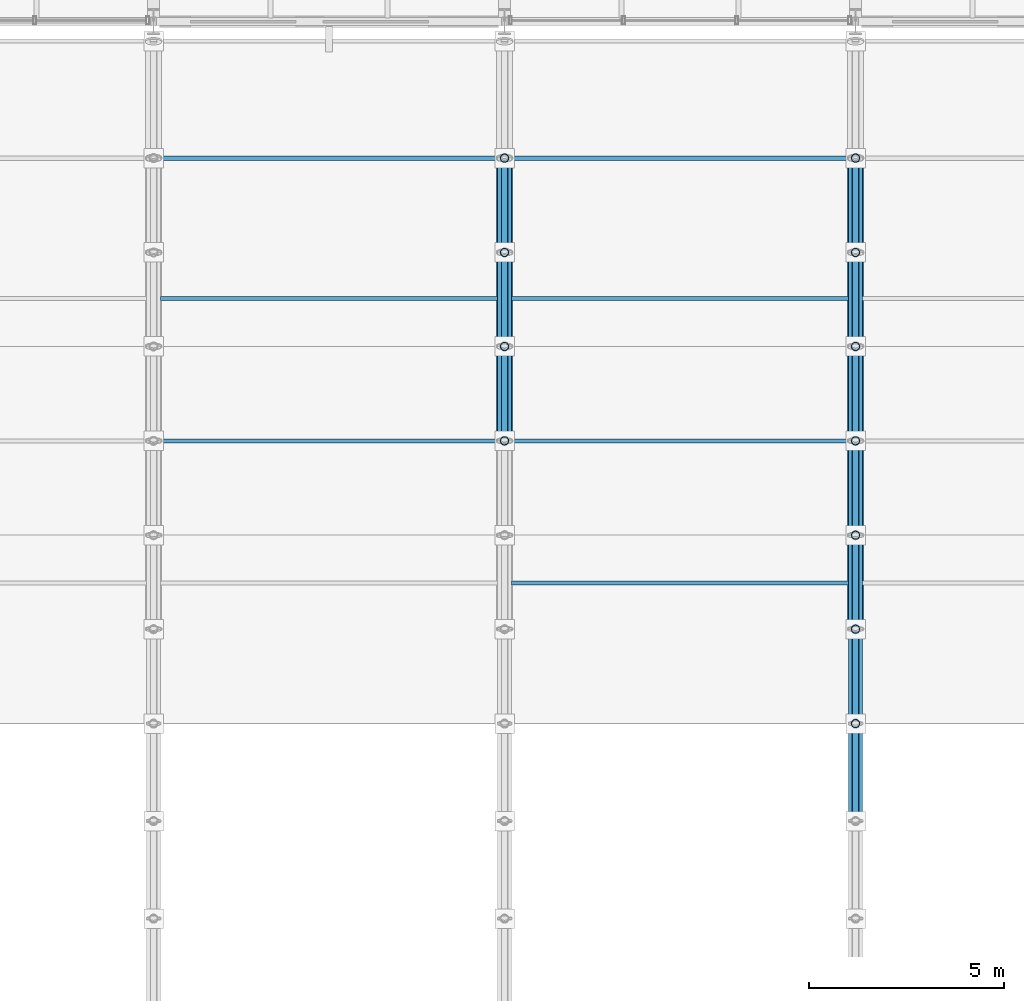
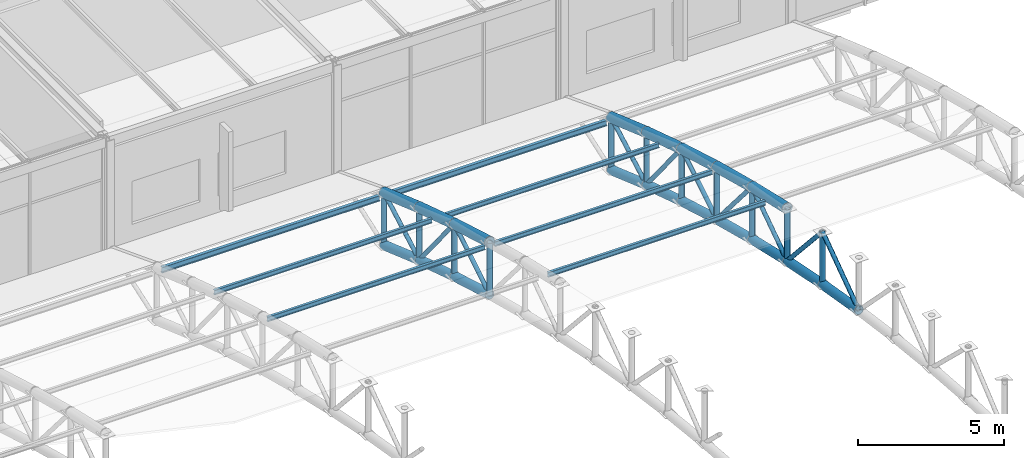
# One storey, part 38 of 195: 46 members.
"""IFC4 building model written with IfcOpenShell, lengths in metres."""

from ifc_helpers import new_model, si_unit, direction, frame, origin, origin_2d, place, context, subcontext, project, spatial, hollow_circle, i_section, extrude, material, material_profile, profile_set, type_object, element, save


model = new_model("IFC4")

# Units and contexts
model_context = context("Model", 3, precision=1e-05, world=origin(), true_north=direction((0.0, 1.0)))
body_context = subcontext(model_context, "Body", "Model", "MODEL_VIEW")
ifc_project = project(units=[si_unit("LENGTHUNIT", "METRE"), si_unit("AREAUNIT", "SQUARE_METRE"), si_unit("VOLUMEUNIT", "CUBIC_METRE"), si_unit("PLANEANGLEUNIT", "RADIAN"), si_unit("MASSUNIT", "GRAM", prefix="KILO")], contexts=[model_context])

# Site, building, storey
site_placement = place(None, origin())
site = spatial("IfcSite", under=ifc_project, at=site_placement, CompositionType="ELEMENT")
building_placement = place(site_placement, origin())
building = spatial("IfcBuilding", under=site, at=building_placement, Name="Marlcrest Central Station", CompositionType="ELEMENT")
storey_placement = place(building_placement, frame((0.0, 0.0, 9.800048828125)))
storey = spatial("IfcBuildingStorey", under=building, at=storey_placement, Name="L02", CompositionType="ELEMENT", Elevation=9.800048828125)

# Members
ifc_material = material(Name="Steel S355", Category="steel")
ifc_material_profile_1 = material_profile(ifc_material, hollow_circle(Radius=0.203125, WallThickness=0.02001953125, at=origin_2d()), Name="CHS 406.4x20")
ifc_profile_set_1 = profile_set([ifc_material_profile_1], Name="Steel S355")
member_type_1 = type_object("IfcMemberType", Name="AC-01", PredefinedType="CHORD", material=ifc_profile_set_1)
member_1_placement = place(storey_placement, frame((54.0, 88.25, 3.927978515625), z_axis=(0.0, 0.960130083362, -0.27955361386), x_axis=(-1.0, 0.0, 0.0)))
element("IfcMember", 1, at=member_1_placement, inside=storey, type_object=member_type_1, Name="mem-AC-01-L02-00843", PredefinedType="CHORD", context=body_context, shape_type="SweptSolid", body=[
    extrude(hollow_circle(Radius=0.203125, WallThickness=0.02001953125, at=origin_2d()), origin(), (0.0, 0.0, 1.0), 2.5205078125),
])
member_2_placement = place(storey_placement, frame((54.0, 90.669921875, 3.223388671875), z_axis=(0.0, 0.952116828449, -0.305734435391), x_axis=(-1.0, 0.0, 0.0)))
element("IfcMember", 2, at=member_2_placement, inside=storey, type_object=member_type_1, Name="mem-AC-01-L02-00847", PredefinedType="CHORD", context=body_context, shape_type="SweptSolid", body=[
    extrude(hollow_circle(Radius=0.203125, WallThickness=0.02001953125, at=origin_2d()), origin(), (0.0, 0.0, 1.0), 2.53125),
])
member_3_placement = place(storey_placement, frame((54.0, 93.080078125, 2.449462890625), z_axis=(0.0, 0.94353735649, -0.331266142109), x_axis=(-1.0, 0.0, 0.0)))
element("IfcMember", 3, at=member_3_placement, inside=storey, type_object=member_type_1, Name="mem-AC-01-L02-00851", PredefinedType="CHORD", context=body_context, shape_type="SweptSolid", body=[
    extrude(hollow_circle(Radius=0.203125, WallThickness=0.02001953125, at=origin_2d()), origin(), (0.0, 0.0, 1.0), 2.564697265625),
])
member_4_placement = place(storey_placement, frame((63.0, 83.419921875, 5.116943359375), z_axis=(0.0, 0.974329612642, -0.225126200004), x_axis=(-1.0, 0.0, 0.0)))
element("IfcMember", 4, at=member_4_placement, inside=storey, type_object=member_type_1, Name="mem-AC-01-L02-00951", PredefinedType="CHORD", context=body_context, shape_type="SweptSolid", body=[
    extrude(hollow_circle(Radius=0.203125, WallThickness=0.02001953125, at=origin_2d()), origin(), (0.0, 0.0, 1.0), 2.4736328125),
])
member_5_placement = place(storey_placement, frame((63.0, 85.830078125, 4.56005859375), z_axis=(0.0, 0.967539481681, -0.252719906989), x_axis=(-1.0, 0.0, 0.0)))
element("IfcMember", 5, at=member_5_placement, inside=storey, type_object=member_type_1, Name="mem-AC-01-L02-00955", PredefinedType="CHORD", context=body_context, shape_type="SweptSolid", body=[
    extrude(hollow_circle(Radius=0.203125, WallThickness=0.02001953125, at=origin_2d()), origin(), (0.0, 0.0, 1.0), 2.501220703125),
])
member_6_placement = place(storey_placement, frame((63.0, 88.25, 3.927978515625), z_axis=(0.0, 0.960130083362, -0.27955361386), x_axis=(-1.0, 0.0, 0.0)))
element("IfcMember", 6, at=member_6_placement, inside=storey, type_object=member_type_1, Name="mem-AC-01-L02-00959", PredefinedType="CHORD", context=body_context, shape_type="SweptSolid", body=[
    extrude(hollow_circle(Radius=0.203125, WallThickness=0.02001953125, at=origin_2d()), origin(), (0.0, 0.0, 1.0), 2.5205078125),
])
member_7_placement = place(storey_placement, frame((63.0, 90.669921875, 3.223388671875), z_axis=(0.0, 0.952116828449, -0.305734435391), x_axis=(-1.0, 0.0, 0.0)))
element("IfcMember", 7, at=member_7_placement, inside=storey, type_object=member_type_1, Name="mem-AC-01-L02-00963", PredefinedType="CHORD", context=body_context, shape_type="SweptSolid", body=[
    extrude(hollow_circle(Radius=0.203125, WallThickness=0.02001953125, at=origin_2d()), origin(), (0.0, 0.0, 1.0), 2.53125),
])
member_8_placement = place(storey_placement, frame((63.0, 93.080078125, 2.449462890625), z_axis=(0.0, 0.94353735649, -0.331266142109), x_axis=(-1.0, 0.0, 0.0)))
element("IfcMember", 8, at=member_8_placement, inside=storey, type_object=member_type_1, Name="mem-AC-01-L02-00967", PredefinedType="CHORD", context=body_context, shape_type="SweptSolid", body=[
    extrude(hollow_circle(Radius=0.203125, WallThickness=0.02001953125, at=origin_2d()), origin(), (0.0, 0.0, 1.0), 2.564697265625),
])
ifc_material_profile_2 = material_profile(ifc_material, hollow_circle(Radius=0.177734375, WallThickness=0.01611328125, at=origin_2d()), Name="CHS 355.6x16")
ifc_profile_set_2 = profile_set([ifc_material_profile_2], Name="Steel S355")
member_type_2 = type_object("IfcMemberType", Name="AC-02", PredefinedType="CHORD", material=ifc_profile_set_2)
member_9_placement = place(storey_placement, frame((54.0, 88.25, 1.72802734375), z_axis=(0.0, 0.960130083362, -0.27955361386), x_axis=(-1.0, 0.0, 0.0)))
element("IfcMember", 9, at=member_9_placement, inside=storey, type_object=member_type_2, Name="mem-AC-02-L02-00844", PredefinedType="CHORD", context=body_context, shape_type="SweptSolid", body=[
    extrude(hollow_circle(Radius=0.177734375, WallThickness=0.01611328125, at=origin_2d()), origin(), (0.0, 0.0, 1.0), 2.5205078125),
])
member_10_placement = place(storey_placement, frame((54.0, 90.669921875, 1.0234375), z_axis=(0.0, 0.952116828449, -0.305734435391), x_axis=(-1.0, 0.0, 0.0)))
element("IfcMember", 10, at=member_10_placement, inside=storey, type_object=member_type_2, Name="mem-AC-02-L02-00848", PredefinedType="CHORD", context=body_context, shape_type="SweptSolid", body=[
    extrude(hollow_circle(Radius=0.177734375, WallThickness=0.01611328125, at=origin_2d()), origin(), (0.0, 0.0, 1.0), 2.53125),
])
member_11_placement = place(storey_placement, frame((54.0, 93.080078125, 0.24951171875), z_axis=(0.0, 0.94353735649, -0.331266142109), x_axis=(-1.0, 0.0, 0.0)))
element("IfcMember", 11, at=member_11_placement, inside=storey, type_object=member_type_2, Name="mem-AC-02-L02-00852", PredefinedType="CHORD", context=body_context, shape_type="SweptSolid", body=[
    extrude(hollow_circle(Radius=0.177734375, WallThickness=0.01611328125, at=origin_2d()), origin(), (0.0, 0.0, 1.0), 2.564697265625),
])
member_12_placement = place(storey_placement, frame((63.0, 78.5, 3.83056640625), z_axis=(0.0, 0.98574109921, -0.168269086076), x_axis=(-1.0, 0.0, 0.0)))
element("IfcMember", 12, at=member_12_placement, inside=storey, type_object=member_type_2, Name="mem-AC-02-L02-00944", PredefinedType="CHORD", context=body_context, shape_type="SweptSolid", body=[
    extrude(hollow_circle(Radius=0.177734375, WallThickness=0.01611328125, at=origin_2d()), origin(), (0.0, 0.0, 1.0), 2.5361328125),
])
member_13_placement = place(storey_placement, frame((63.0, 81.0, 3.40380859375), z_axis=(0.0, 0.980359417961, -0.197219196874), x_axis=(-1.0, 0.0, 0.0)))
element("IfcMember", 13, at=member_13_placement, inside=storey, type_object=member_type_2, Name="mem-AC-02-L02-00948", PredefinedType="CHORD", context=body_context, shape_type="SweptSolid", body=[
    extrude(hollow_circle(Radius=0.177734375, WallThickness=0.01611328125, at=origin_2d()), origin(), (0.0, 0.0, 1.0), 2.468505859375),
])
member_14_placement = place(storey_placement, frame((63.0, 83.419921875, 2.9169921875), z_axis=(0.0, 0.974307959875, -0.225219891049), x_axis=(-1.0, 0.0, 0.0)))
element("IfcMember", 14, at=member_14_placement, inside=storey, type_object=member_type_2, Name="mem-AC-02-L02-00952", PredefinedType="CHORD", context=body_context, shape_type="SweptSolid", body=[
    extrude(hollow_circle(Radius=0.177734375, WallThickness=0.01611328125, at=origin_2d()), origin(), (0.0, 0.0, 1.0), 2.4736328125),
])
member_15_placement = place(storey_placement, frame((63.0, 85.830078125, 2.35986328125), z_axis=(0.0, 0.967563345928, -0.252628524946), x_axis=(-1.0, 0.0, 0.0)))
element("IfcMember", 15, at=member_15_placement, inside=storey, type_object=member_type_2, Name="mem-AC-02-L02-00956", PredefinedType="CHORD", context=body_context, shape_type="SweptSolid", body=[
    extrude(hollow_circle(Radius=0.177734375, WallThickness=0.01611328125, at=origin_2d()), origin(), (0.0, 0.0, 1.0), 2.5009765625),
])
member_16_placement = place(storey_placement, frame((63.0, 88.25, 1.72802734375), z_axis=(0.0, 0.960130083362, -0.27955361386), x_axis=(-1.0, 0.0, 0.0)))
element("IfcMember", 16, at=member_16_placement, inside=storey, type_object=member_type_2, Name="mem-AC-02-L02-00960", PredefinedType="CHORD", context=body_context, shape_type="SweptSolid", body=[
    extrude(hollow_circle(Radius=0.177734375, WallThickness=0.01611328125, at=origin_2d()), origin(), (0.0, 0.0, 1.0), 2.5205078125),
])
member_17_placement = place(storey_placement, frame((63.0, 90.669921875, 1.0234375), z_axis=(0.0, 0.952116828449, -0.305734435391), x_axis=(-1.0, 0.0, 0.0)))
element("IfcMember", 17, at=member_17_placement, inside=storey, type_object=member_type_2, Name="mem-AC-02-L02-00964", PredefinedType="CHORD", context=body_context, shape_type="SweptSolid", body=[
    extrude(hollow_circle(Radius=0.177734375, WallThickness=0.01611328125, at=origin_2d()), origin(), (0.0, 0.0, 1.0), 2.53125),
])
member_18_placement = place(storey_placement, frame((63.0, 93.080078125, 0.24951171875), z_axis=(0.0, 0.94353735649, -0.331266142109), x_axis=(-1.0, 0.0, 0.0)))
element("IfcMember", 18, at=member_18_placement, inside=storey, type_object=member_type_2, Name="mem-AC-02-L02-00968", PredefinedType="CHORD", context=body_context, shape_type="SweptSolid", body=[
    extrude(hollow_circle(Radius=0.177734375, WallThickness=0.01611328125, at=origin_2d()), origin(), (0.0, 0.0, 1.0), 2.564697265625),
])
ifc_material_profile_3 = material_profile(ifc_material, hollow_circle(Radius=0.084228515625, WallThickness=0.010009765625, at=origin_2d()), Name="CHS 168.3x10")
ifc_profile_set_3 = profile_set([ifc_material_profile_3], Name="Steel S355")
member_type_3 = type_object("IfcMemberType", Name="AD-01", PredefinedType="BRACE", material=ifc_profile_set_3)
member_19_placement = place(storey_placement, frame((54.0, 88.25, 1.72802734375), z_axis=(0.0, 0.850687380038, 0.525671933286), x_axis=(-1.0, 0.0, 0.0)))
element("IfcMember", 19, at=member_19_placement, inside=storey, type_object=member_type_3, Name="mem-AD-01-L02-00846", PredefinedType="BRACE", context=body_context, shape_type="SweptSolid", body=[
    extrude(hollow_circle(Radius=0.084228515625, WallThickness=0.010009765625, at=origin_2d()), origin(), (0.0, 0.0, 1.0), 2.8447265625),
])
member_20_placement = place(storey_placement, frame((54.0, 90.669921875, 3.223388671875), z_axis=(0.0, 0.62962929743, -0.776895712318), x_axis=(-1.0, 0.0, 0.0)))
element("IfcMember", 20, at=member_20_placement, inside=storey, type_object=member_type_3, Name="mem-AD-01-L02-00850", PredefinedType="BRACE", context=body_context, shape_type="SweptSolid", body=[
    extrude(hollow_circle(Radius=0.084228515625, WallThickness=0.010009765625, at=origin_2d()), origin(), (0.0, 0.0, 1.0), 3.827880859375),
])
member_21_placement = place(storey_placement, frame((54.0, 93.080078125, 0.24951171875), z_axis=(0.0, 0.873245653167, 0.487280236851), x_axis=(-1.0, 0.0, 0.0)))
element("IfcMember", 21, at=member_21_placement, inside=storey, type_object=member_type_3, Name="mem-AD-01-L02-00854", PredefinedType="BRACE", context=body_context, shape_type="SweptSolid", body=[
    extrude(hollow_circle(Radius=0.084228515625, WallThickness=0.010009765625, at=origin_2d()), origin(), (0.0, 0.0, 1.0), 2.771240234375),
])
member_22_placement = place(storey_placement, frame((63.0, 78.5, 3.83056640625), z_axis=(0.0, 0.815661132754, 0.57852996164), x_axis=(-1.0, 0.0, 0.0)))
element("IfcMember", 22, at=member_22_placement, inside=storey, type_object=member_type_3, Name="mem-AD-01-L02-00946", PredefinedType="BRACE", context=body_context, shape_type="SweptSolid", body=[
    extrude(hollow_circle(Radius=0.084228515625, WallThickness=0.010009765625, at=origin_2d()), origin(), (0.0, 0.0, 1.0), 3.06494140625),
])
member_23_placement = place(storey_placement, frame((63.0, 81.0, 5.603759765625), z_axis=(0.0, 0.669244457479, -0.743042297675), x_axis=(-1.0, 0.0, 0.0)))
element("IfcMember", 23, at=member_23_placement, inside=storey, type_object=member_type_3, Name="mem-AD-01-L02-00950", PredefinedType="BRACE", context=body_context, shape_type="SweptSolid", body=[
    extrude(hollow_circle(Radius=0.084228515625, WallThickness=0.010009765625, at=origin_2d()), origin(), (0.0, 0.0, 1.0), 3.615966796875),
])
member_24_placement = place(storey_placement, frame((63.0, 83.419921875, 2.9169921875), z_axis=(0.0, 0.82626275624, 0.563284881432), x_axis=(-1.0, 0.0, 0.0)))
element("IfcMember", 24, at=member_24_placement, inside=storey, type_object=member_type_3, Name="mem-AD-01-L02-00954", PredefinedType="BRACE", context=body_context, shape_type="SweptSolid", body=[
    extrude(hollow_circle(Radius=0.084228515625, WallThickness=0.010009765625, at=origin_2d()), origin(), (0.0, 0.0, 1.0), 2.9169921875),
])
member_25_placement = place(storey_placement, frame((63.0, 85.830078125, 4.56005859375), z_axis=(0.0, 0.649624779144, -0.760254987699), x_axis=(-1.0, 0.0, 0.0)))
element("IfcMember", 25, at=member_25_placement, inside=storey, type_object=member_type_3, Name="mem-AD-01-L02-00958", PredefinedType="BRACE", context=body_context, shape_type="SweptSolid", body=[
    extrude(hollow_circle(Radius=0.084228515625, WallThickness=0.010009765625, at=origin_2d()), origin(), (0.0, 0.0, 1.0), 3.72509765625),
])
member_26_placement = place(storey_placement, frame((63.0, 88.25, 1.72802734375), z_axis=(0.0, 0.850687380038, 0.525671933286), x_axis=(-1.0, 0.0, 0.0)))
element("IfcMember", 26, at=member_26_placement, inside=storey, type_object=member_type_3, Name="mem-AD-01-L02-00962", PredefinedType="BRACE", context=body_context, shape_type="SweptSolid", body=[
    extrude(hollow_circle(Radius=0.084228515625, WallThickness=0.010009765625, at=origin_2d()), origin(), (0.0, 0.0, 1.0), 2.8447265625),
])
member_27_placement = place(storey_placement, frame((63.0, 90.669921875, 3.223388671875), z_axis=(0.0, 0.62962929743, -0.776895712318), x_axis=(-1.0, 0.0, 0.0)))
element("IfcMember", 27, at=member_27_placement, inside=storey, type_object=member_type_3, Name="mem-AD-01-L02-00966", PredefinedType="BRACE", context=body_context, shape_type="SweptSolid", body=[
    extrude(hollow_circle(Radius=0.084228515625, WallThickness=0.010009765625, at=origin_2d()), origin(), (0.0, 0.0, 1.0), 3.827880859375),
])
member_28_placement = place(storey_placement, frame((63.0, 93.080078125, 0.24951171875), z_axis=(0.0, 0.873245653167, 0.487280236851), x_axis=(-1.0, 0.0, 0.0)))
element("IfcMember", 28, at=member_28_placement, inside=storey, type_object=member_type_3, Name="mem-AD-01-L02-00970", PredefinedType="BRACE", context=body_context, shape_type="SweptSolid", body=[
    extrude(hollow_circle(Radius=0.084228515625, WallThickness=0.010009765625, at=origin_2d()), origin(), (0.0, 0.0, 1.0), 2.771240234375),
])
ifc_material_profile_4 = material_profile(ifc_material, hollow_circle(Radius=0.109619140625, WallThickness=0.012451171875, at=origin_2d()), Name="CHS 219.1x12.5")
ifc_profile_set_4 = profile_set([ifc_material_profile_4], Name="Steel S355")
member_type_4 = type_object("IfcMemberType", Name="AP-01", PredefinedType="POST", material=ifc_profile_set_4)
for number, where, z_axis, x_axis, name in (
    (29, (54.0, 88.25, 1.72802734375), (0.0, 0.0, 1.0), (1.0, 0.0, 0.0), "mem-AP-01-L02-00845"),
    (30, (54.0, 90.669921875, 1.0234375), (0.0, 0.0, 1.0), (1.0, 0.0, 0.0), "mem-AP-01-L02-00849"),
    (31, (54.0, 93.080078125, 0.24951171875), (0.0, 0.0, 1.0), (1.0, 0.0, 0.0), "mem-AP-01-L02-00853"),
    (32, (54.0, 95.5, -0.60009765625), (0.0, 0.0, 1.0), (1.0, 0.0, 0.0), "mem-AP-01-L02-00856"),
    (33, (63.0, 81.0, 3.40380859375), (0.0, 0.0, 1.0), (1.0, 0.0, 0.0), "mem-AP-01-L02-00949"),
    (34, (63.0, 83.419921875, 2.9169921875), (0.0, 0.0, 1.0), (1.0, 0.0, 0.0), "mem-AP-01-L02-00953"),
):
    element("IfcMember", number, at=place(storey_placement, frame(where, z_axis=z_axis, x_axis=x_axis)), inside=storey, type_object=member_type_4, Name=name, PredefinedType="POST", context=body_context, shape_type="SweptSolid", body=[
        extrude(hollow_circle(Radius=0.109619140625, WallThickness=0.012451171875, at=origin_2d()), origin(), (0.0, 0.0, 1.0), 2.199951171875),
    ])
member_29_placement = place(storey_placement, frame((63.0, 85.830078125, 2.35986328125), z_axis=(0.0, 0.0, 1.0), x_axis=(1.0, 0.0, 0.0)))
element("IfcMember", 35, at=member_29_placement, inside=storey, type_object=member_type_4, Name="mem-AP-01-L02-00957", PredefinedType="POST", context=body_context, shape_type="SweptSolid", body=[
    extrude(hollow_circle(Radius=0.109619140625, WallThickness=0.012451171875, at=origin_2d()), origin(), (0.0, 0.0, 1.0), 2.2001953125),
])
for number, where, z_axis, x_axis, name in (
    (36, (63.0, 88.25, 1.72802734375), (0.0, 0.0, 1.0), (1.0, 0.0, 0.0), "mem-AP-01-L02-00961"),
    (37, (63.0, 90.669921875, 1.0234375), (0.0, 0.0, 1.0), (1.0, 0.0, 0.0), "mem-AP-01-L02-00965"),
    (38, (63.0, 93.080078125, 0.24951171875), (0.0, 0.0, 1.0), (1.0, 0.0, 0.0), "mem-AP-01-L02-00969"),
    (39, (63.0, 95.5, -0.60009765625), (0.0, 0.0, 1.0), (1.0, 0.0, 0.0), "mem-AP-01-L02-00972"),
):
    element("IfcMember", number, at=place(storey_placement, frame(where, z_axis=z_axis, x_axis=x_axis)), inside=storey, type_object=member_type_4, Name=name, PredefinedType="POST", context=body_context, shape_type="SweptSolid", body=[
        extrude(hollow_circle(Radius=0.109619140625, WallThickness=0.012451171875, at=origin_2d()), origin(), (0.0, 0.0, 1.0), 2.199951171875),
    ])
ifc_material_profile_5 = material_profile(ifc_material, i_section(OverallWidth=0.10009765625, OverallDepth=0.199951171875, WebThickness=0.005615234375, FlangeThickness=0.008544921875, FilletRadius=0.011962890625, at=origin_2d()), Name="IPE 200")
ifc_profile_set_5 = profile_set([ifc_material_profile_5], Name="Steel S355")
member_type_5 = type_object("IfcMemberType", Name="PR-01", PredefinedType="PURLIN", material=ifc_profile_set_5)
for number, where, z_axis, x_axis, name in (
    (40, (45.179931640625, 88.25, 3.7880859375), (1.0, 0.0, 0.0), (0.0, 1.0, 0.0), "mem-PR-01-L02-00753"),
    (41, (45.179931640625, 91.89990234375, 2.697509765625), (1.0, 0.0, 0.0), (0.0, 1.0, 0.0), "mem-PR-01-L02-00754"),
    (42, (54.179931640625, 84.60009765625, 4.713134765625), (1.0, 0.0, 0.0), (0.0, 1.0, 0.0), "mem-PR-01-L02-00868"),
    (43, (54.179931640625, 88.25, 3.7880859375), (1.0, 0.0, 0.0), (0.0, 1.0, 0.0), "mem-PR-01-L02-00869"),
    (44, (54.179931640625, 91.89990234375, 2.697509765625), (1.0, 0.0, 0.0), (0.0, 1.0, 0.0), "mem-PR-01-L02-00870"),
):
    element("IfcMember", number, at=place(storey_placement, frame(where, z_axis=z_axis, x_axis=x_axis)), inside=storey, type_object=member_type_5, Name=name, PredefinedType="PURLIN", context=body_context, shape_type="SweptSolid", body=[
        extrude(i_section(OverallWidth=0.10009765625, OverallDepth=0.199951171875, WebThickness=0.005615234375, FlangeThickness=0.008544921875, FilletRadius=0.011962890625, at=origin_2d()), origin(), (0.0, 0.0, 1.0), 8.64013671875),
    ])
ifc_material_profile_6 = material_profile(ifc_material, i_section(OverallWidth=0.1201171875, OverallDepth=0.239990234375, WebThickness=0.006103515625, FlangeThickness=0.009765625, FilletRadius=0.014892578125, at=origin_2d()), Name="IPE 240")
ifc_profile_set_6 = profile_set([ifc_material_profile_6], Name="Steel S355")
member_type_6 = type_object("IfcMemberType", Name="PR-02", PredefinedType="PURLIN", material=ifc_profile_set_6)
for number, where, z_axis, x_axis, name in (
    (45, (45.179931640625, 95.5, 1.4599609375), (1.0, 0.0, 0.0), (0.0, 1.0, 0.0), "mem-PR-02-L02-00755"),
    (46, (54.179931640625, 95.5, 1.4599609375), (1.0, 0.0, 0.0), (0.0, 1.0, 0.0), "mem-PR-02-L02-00871"),
):
    element("IfcMember", number, at=place(storey_placement, frame(where, z_axis=z_axis, x_axis=x_axis)), inside=storey, type_object=member_type_6, Name=name, PredefinedType="PURLIN", context=body_context, shape_type="SweptSolid", body=[
        extrude(i_section(OverallWidth=0.1201171875, OverallDepth=0.239990234375, WebThickness=0.006103515625, FlangeThickness=0.009765625, FilletRadius=0.014892578125, at=origin_2d()), origin(), (0.0, 0.0, 1.0), 8.64013671875),
    ])

save(model, "model.ifc")
